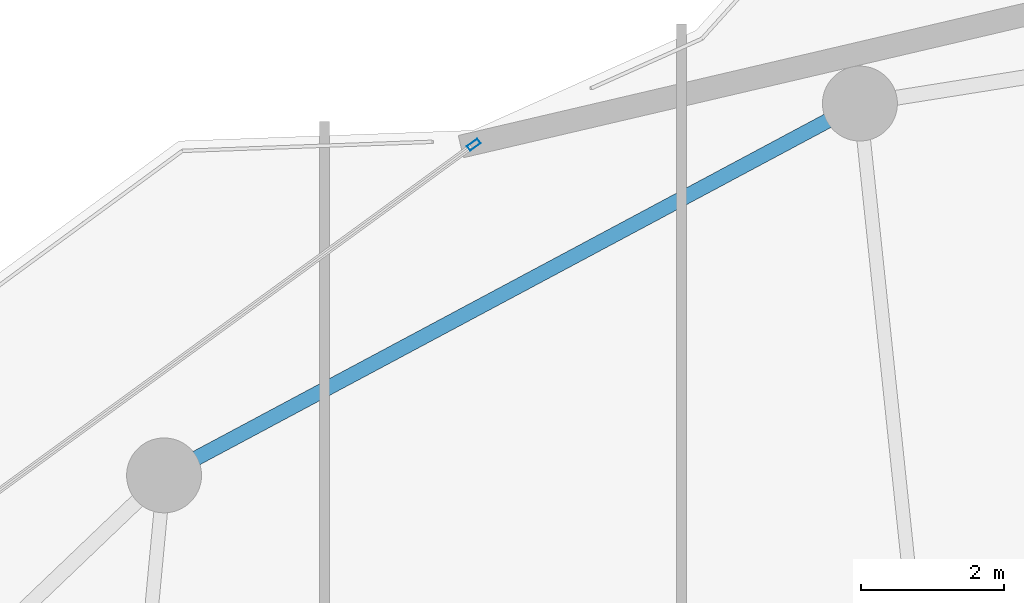
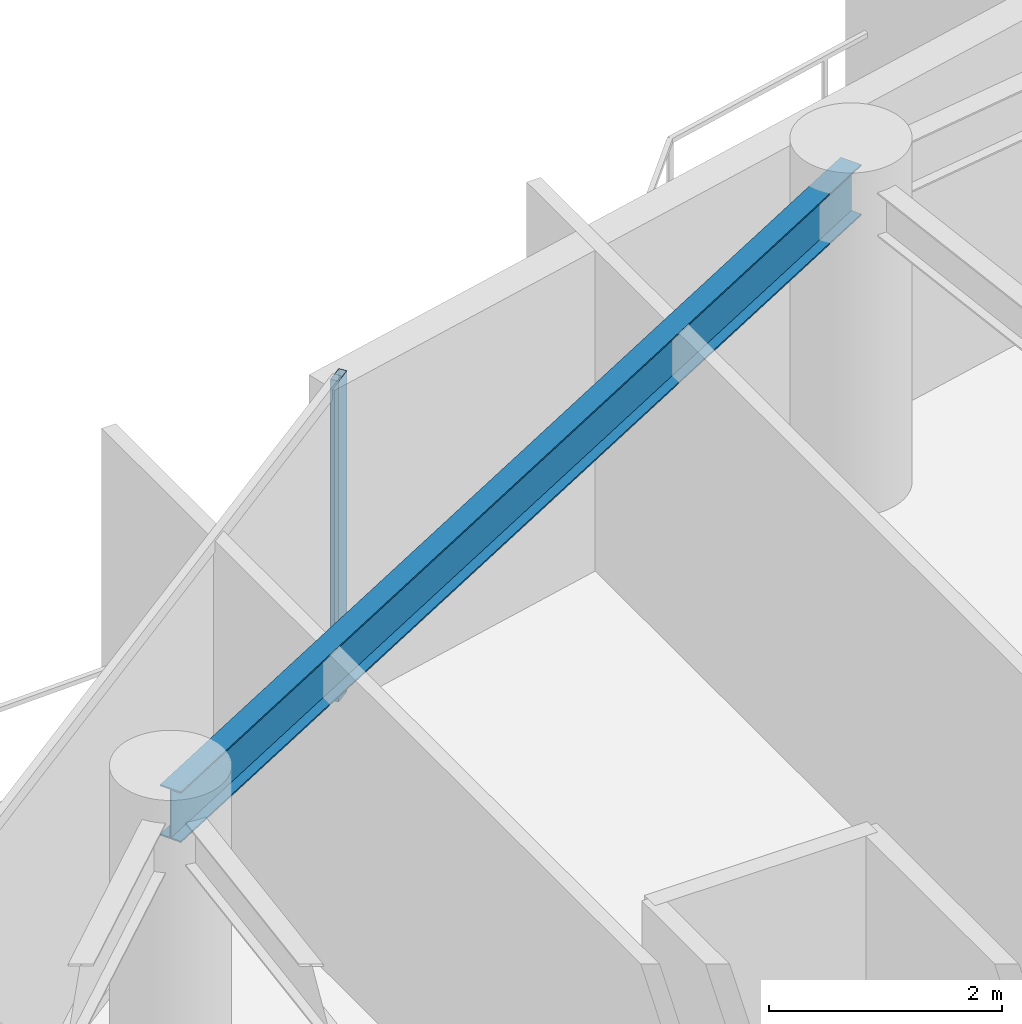
# One storey, part 18 of 31: 1 beam, 1 member, 1 element without a shape of its own.
"""IFC4 building model written with IfcOpenShell, lengths in metres."""

from ifc_helpers import new_model, si_unit, direction, frame, origin, origin_2d, place, context, subcontext, project, spatial, hollow_rectangle, i_section, extrude, material, layer, layer_set, material_profile, profile_set, type_object, element, aggregate, save


model = new_model("IFC4")

# Units and contexts
model_context = context("Model", 3, precision=1e-05, world=origin(), true_north=direction((0.0, 1.0)))
body_context = subcontext(model_context, "Body", "Model", "MODEL_VIEW")
ifc_project = project(units=[si_unit("LENGTHUNIT", "METRE"), si_unit("AREAUNIT", "SQUARE_METRE"), si_unit("VOLUMEUNIT", "CUBIC_METRE"), si_unit("PLANEANGLEUNIT", "RADIAN"), si_unit("MASSUNIT", "GRAM", prefix="KILO")], contexts=[model_context])

# Site, building, storey
site_placement = place(None, origin())
site = spatial("IfcSite", under=ifc_project, at=site_placement, CompositionType="ELEMENT")
building_placement = place(site_placement, origin())
building = spatial("IfcBuilding", under=site, at=building_placement, Name="Kazevale Care Tower and Concert Hall", CompositionType="ELEMENT")
storey_placement = place(building_placement, frame((0.0, 0.0, 202.800048828125)))
storey = spatial("IfcBuildingStorey", under=building, at=storey_placement, Name="L53", CompositionType="ELEMENT", Elevation=202.800048828125)

# Curtain wall, member
ifc_material_1 = material(Name="Aluminium 6063-T6 and Low-E Glass", Category="aluminium")
ifc_layer = layer(ifc_material_1, 0.179931640625)
ifc_layer_set = layer_set([ifc_layer], Name="Aluminium 6063-T6 and Low-E Glass")
curtain_wall_type = type_object("IfcCurtainWallType", Name="Waist & Upper Residential Curtain Wall CW-4", PredefinedType="NOTDEFINED", material=ifc_layer_set)
curtain_wall_placement = place(storey_placement, origin())
curtain_wall = element("IfcCurtainWall", 1, at=curtain_wall_placement, inside=storey, type_object=curtain_wall_type, Name="cw:L53:f14", PredefinedType="NOTDEFINED")
ifc_material_2 = material(Name="Aluminium 6063-T6", Category="aluminium")
ifc_material_profile_1 = material_profile(ifc_material_2, hollow_rectangle(XDim=0.080078125, YDim=0.179931640625, WallThickness=0.0048828125, at=origin_2d()), Name="ALU80x180x5")
ifc_profile_set_1 = profile_set([ifc_material_profile_1], Name="Aluminium 6063-T6")
member_type = type_object("IfcMemberType", Name="CW-4 Mullion ALU80x180x5", PredefinedType="MULLION", material=ifc_profile_set_1)
member_placement = place(storey_placement, frame((28.090576171875, 59.6435546875, 0.0), z_axis=(0.0, 0.0, 1.0), x_axis=(-0.588910374145, 0.808198348937, 0.0)))
member = element("IfcMember", 2, at=member_placement, type_object=member_type, Name="CW-4 mullion 2", PredefinedType="MULLION", context=body_context, shape_type="SweptSolid", body=[
    extrude(hollow_rectangle(XDim=0.080078125, YDim=0.179931640625, WallThickness=0.0048828125, at=origin_2d()), origin(), (0.0, 0.0, 1.0), 3.35986328125),
])
aggregate(curtain_wall, [member])

# Beam
ifc_material_3 = material(Name="Steel ASTM A572 Gr 50", Category="steel")
ifc_material_profile_2 = material_profile(ifc_material_3, i_section(OverallWidth=0.208984375, OverallDepth=0.532958984375, WebThickness=0.01025390625, FlangeThickness=0.015625, at=origin_2d()), Name="W530x92")
ifc_profile_set_2 = profile_set([ifc_material_profile_2], Name="Steel ASTM A572 Gr 50")
beam_type = type_object("IfcBeamType", Name="Upper Ring Beam W530x92", PredefinedType="BEAM", material=ifc_profile_set_2)
beam_placement = place(storey_placement, frame((33.5, 60.219970703125, 3.093505859375), z_axis=(-0.881978519833, -0.471289603697, 0.0), x_axis=(0.471289603697, -0.881978519833, 0.0)))
element("IfcBeam", 3, at=beam_placement, inside=storey, type_object=beam_type, Name="beam:L53:ring:06", PredefinedType="BEAM", context=body_context, shape_type="SweptSolid", body=[
    extrude(i_section(OverallWidth=0.208984375, OverallDepth=0.532958984375, WebThickness=0.01025390625, FlangeThickness=0.015625, at=origin_2d()), origin(), (0.0, 0.0, 1.0), 11.0546875),
])

save(model, "model.ifc")
